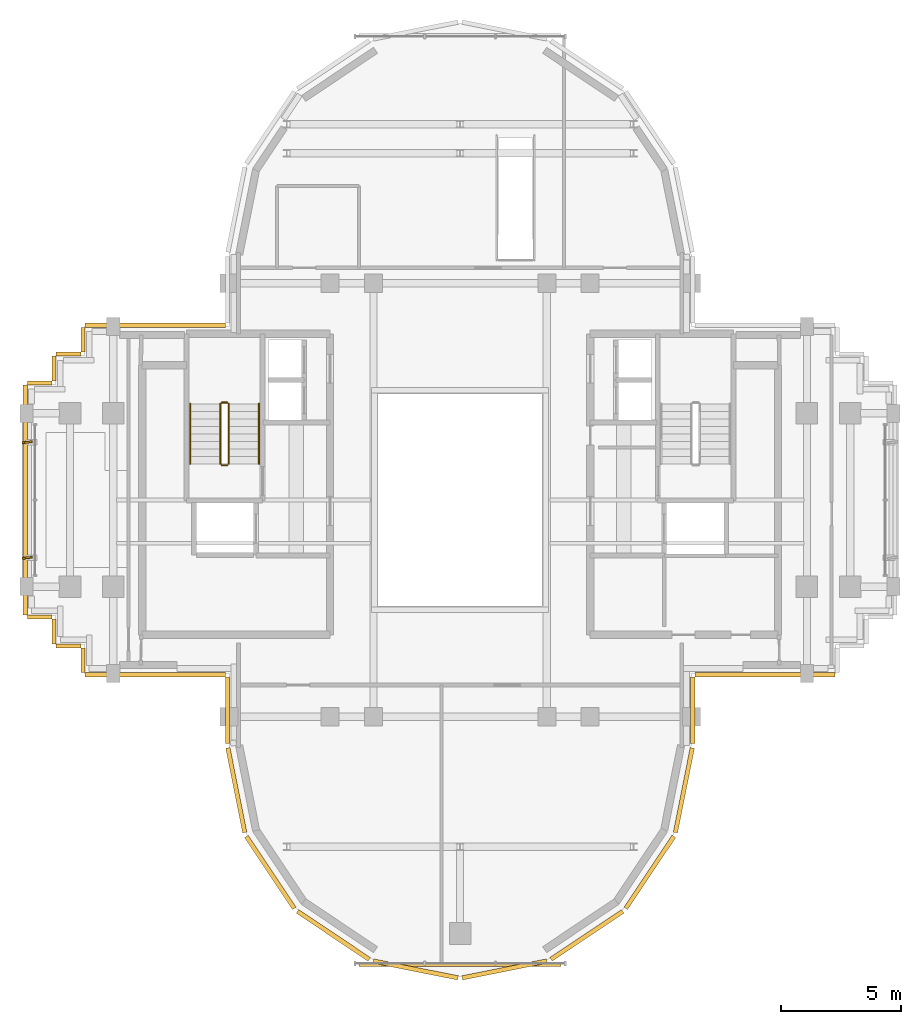
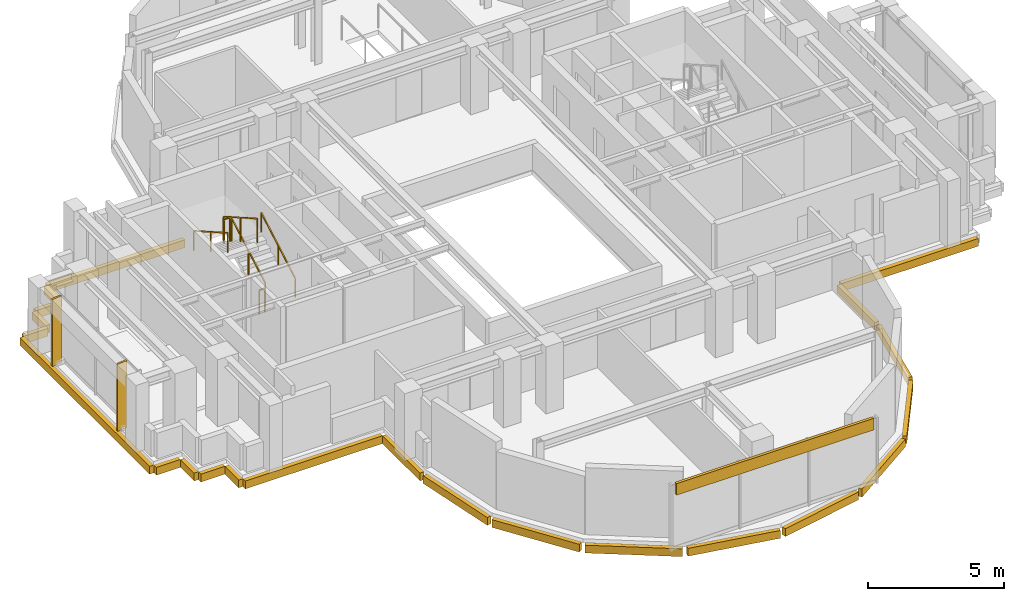
# One storey, part 11 of 12: 23 coverings, 6 railings, 2 shading devices.
"""IFC4 building model written with IfcOpenShell, lengths in metres."""

from ifc_helpers import new_model, si_unit, direction, frame, origin, origin_2d, place, context, subcontext, project, spatial, rectangle, extrude, source, transform, mapped, material, layer, layer_set, type_object, element, save


model = new_model("IFC4")

# Units and contexts
model_context = context("Model", 3, precision=1e-05, world=origin(), true_north=direction((0.0, 1.0)))
body_context = subcontext(model_context, "Body", "Model", "MODEL_VIEW")
ifc_project = project(units=[si_unit("LENGTHUNIT", "METRE"), si_unit("AREAUNIT", "SQUARE_METRE"), si_unit("VOLUMEUNIT", "CUBIC_METRE"), si_unit("PLANEANGLEUNIT", "RADIAN"), si_unit("MASSUNIT", "GRAM", prefix="KILO")], contexts=[model_context])

# Site, building, storey
site_placement = place(None, origin())
site = spatial("IfcSite", under=ifc_project, at=site_placement, CompositionType="ELEMENT")
building_placement = place(site_placement, origin())
building = spatial("IfcBuilding", under=site, at=building_placement, Name="Keilestroom Media Tower", CompositionType="ELEMENT")
storey_placement = place(building_placement, frame((0.0, 0.0, 233.199951171875)))
storey = spatial("IfcBuildingStorey", under=building, at=storey_placement, Name="L64", CompositionType="ELEMENT", Elevation=233.199951171875)

# Railings
ifc_material_1 = material(Name="Brushed Stainless Steel 1.4301", Category="steel")
railing_type_1 = type_object("IfcRailingType", Name="Stair-Pitch-Handrail-920", PredefinedType="HANDRAIL", material=ifc_material_1)
railing_1_placement = place(storey_placement, frame((-8.35009765625, 1.5, 0.177734375)))
element("IfcRailing", 1, at=railing_1_placement, inside=storey, type_object=railing_type_1, Name="L64 ST-1 stair handrail 1", PredefinedType="HANDRAIL", context=body_context, shape_type="SweptSolid", body=[
    extrude(rectangle(XDim=0.048095703125, YDim=0.048095703125, at=origin_2d()), frame((0.0, 0.0, 0.8759765625), z_axis=(0.0, 0.868838684858, 0.495095283449), x_axis=(-1.0, 0.0, 0.0)), (0.0, 0.0, 1.0), 2.872802734375),
    extrude(rectangle(XDim=0.0419921875, YDim=0.0419921875, at=origin_2d()), origin(), (0.0, 0.0, 1.0), 0.84375),
    extrude(rectangle(XDim=0.0419921875, YDim=0.0419921875, at=origin_2d()), frame((0.0, 1.248046875, 0.711181640625)), (0.0, 0.0, 1.0), 0.84375),
    extrude(rectangle(XDim=0.0419921875, YDim=0.0419921875, at=origin_2d()), frame((0.0, 2.49609375, 1.42236328125)), (0.0, 0.0, 1.0), 0.84375),
])
railing_2_placement = place(storey_placement, frame((-11.2099609375, 3.99609375, 1.77783203125)))
element("IfcRailing", 2, at=railing_2_placement, inside=storey, type_object=railing_type_1, Name="L64 ST-1 stair handrail 2", PredefinedType="HANDRAIL", context=body_context, shape_type="SweptSolid", body=[
    extrude(rectangle(XDim=0.048095703125, YDim=0.048095703125, at=origin_2d()), frame((0.0, 0.0, 0.8759765625), z_axis=(0.0, -0.868875238982, 0.495031129408), x_axis=(1.0, 0.0, 0.0)), (0.0, 0.0, 1.0), 2.872802734375),
    extrude(rectangle(XDim=0.0419921875, YDim=0.0419921875, at=origin_2d()), origin(), (0.0, 0.0, 1.0), 0.84375),
    extrude(rectangle(XDim=0.0419921875, YDim=0.0419921875, at=origin_2d()), frame((0.0, -1.248046875, 0.7109375)), (0.0, 0.0, 1.0), 0.84375),
    extrude(rectangle(XDim=0.0419921875, YDim=0.0419921875, at=origin_2d()), frame((0.0, -2.49609375, 1.422119140625)), (0.0, 0.0, 1.0), 0.84375),
])
ifc_material_2 = material(Name="Painted Steel Balustrade", Category="steel")
railing_type_2 = type_object("IfcRailingType", Name="Stair-Well-And-Landing-Guard-1100", PredefinedType="GUARDRAIL", material=ifc_material_2)
railing_3_placement = place(storey_placement, frame((-9.610107421875, 1.5, 0.177734375)))
element("IfcRailing", 3, at=railing_3_placement, inside=storey, type_object=railing_type_2, Name="L64 ST-1 stair guard 1", PredefinedType="GUARDRAIL", context=body_context, shape_type="SweptSolid", body=[
    extrude(rectangle(XDim=0.048095703125, YDim=0.048095703125, at=origin_2d()), frame((0.0, 0.0, 1.076171875), z_axis=(0.0, 0.868838684858, 0.495095283449), x_axis=(-1.0, 0.0, 0.0)), (0.0, 0.0, 1.0), 2.872802734375),
    extrude(rectangle(XDim=0.0419921875, YDim=0.0419921875, at=origin_2d()), origin(), (0.0, 0.0, 1.0), 1.0439453125),
    extrude(rectangle(XDim=0.0419921875, YDim=0.0419921875, at=origin_2d()), frame((0.0, 1.248046875, 0.711181640625)), (0.0, 0.0, 1.0), 1.0439453125),
    extrude(rectangle(XDim=0.0419921875, YDim=0.0419921875, at=origin_2d()), frame((0.0, 2.49609375, 1.42236328125)), (0.0, 0.0, 1.0), 1.0439453125),
])
railing_4_placement = place(storey_placement, frame((-9.659912109375, 4.0458984375, 1.60009765625)))
element("IfcRailing", 4, at=railing_4_placement, inside=storey, type_object=railing_type_2, Name="L64 ST-1 stair guard 2", PredefinedType="GUARDRAIL", context=body_context, shape_type="SweptSolid", body=[
    extrude(rectangle(XDim=0.048095703125, YDim=0.048095703125, at=origin_2d()), frame((0.0, 0.0, 1.076171875), z_axis=(-1.0, 0.0, 0.0), x_axis=(0.0, -1.0, 0.0)), (0.0, 0.0, 1.0), 0.239990234375),
    extrude(rectangle(XDim=0.0419921875, YDim=0.0419921875, at=origin_2d()), origin(), (0.0, 0.0, 1.0), 1.0439453125),
    extrude(rectangle(XDim=0.0419921875, YDim=0.0419921875, at=origin_2d()), frame((-0.239990234375, 0.0, 0.0)), (0.0, 0.0, 1.0), 1.0439453125),
])
railing_5_placement = place(storey_placement, frame((-9.949951171875, 3.99609375, 1.77783203125)))
element("IfcRailing", 5, at=railing_5_placement, inside=storey, type_object=railing_type_2, Name="L64 ST-1 stair guard 3", PredefinedType="GUARDRAIL", context=body_context, shape_type="SweptSolid", body=[
    extrude(rectangle(XDim=0.048095703125, YDim=0.048095703125, at=origin_2d()), frame((0.0, 0.0, 1.076171875), z_axis=(0.0, -0.868875238982, 0.495031129408), x_axis=(1.0, 0.0, 0.0)), (0.0, 0.0, 1.0), 2.872802734375),
    extrude(rectangle(XDim=0.0419921875, YDim=0.0419921875, at=origin_2d()), origin(), (0.0, 0.0, 1.0), 1.0439453125),
    extrude(rectangle(XDim=0.0419921875, YDim=0.0419921875, at=origin_2d()), frame((0.0, -1.248046875, 0.7109375)), (0.0, 0.0, 1.0), 1.0439453125),
    extrude(rectangle(XDim=0.0419921875, YDim=0.0419921875, at=origin_2d()), frame((0.0, -2.49609375, 1.422119140625)), (0.0, 0.0, 1.0), 1.0439453125),
])
railing_6_placement = place(storey_placement, frame((-9.659912109375, 1.449951171875, 0.0)))
element("IfcRailing", 6, at=railing_6_placement, inside=storey, type_object=railing_type_2, Name="L64 ST-1 stair guard 4", PredefinedType="GUARDRAIL", context=body_context, shape_type="SweptSolid", body=[
    extrude(rectangle(XDim=0.048095703125, YDim=0.048095703125, at=origin_2d()), frame((0.0, 0.0, 1.076171875), z_axis=(-1.0, 0.0, 0.0), x_axis=(0.0, -1.0, 0.0)), (0.0, 0.0, 1.0), 0.239990234375),
    extrude(rectangle(XDim=0.0419921875, YDim=0.0419921875, at=origin_2d()), origin(), (0.0, 0.0, 1.0), 1.0439453125),
    extrude(rectangle(XDim=0.0419921875, YDim=0.0419921875, at=origin_2d()), frame((-0.239990234375, 0.0, 0.0)), (0.0, 0.0, 1.0), 1.0439453125),
])

# Covering
ifc_material_3 = material(Name="Precast concrete C40/50", Category="concrete")
ifc_layer = layer(ifc_material_3, 0.1201171875)
ifc_layer_set = layer_set([ifc_layer], Name="Precast concrete C40/50")
covering_type = type_object("IfcCoveringType", Name="Exterior-Precast-Spandrel-Cladding-Panel-120", PredefinedType="CLADDING", material=ifc_layer_set)
shared_shape_1 = source(origin(), body_context, "Body", "SweptSolid", [
    extrude(rectangle(XDim=8.39990234375, YDim=0.1201171875, at=origin_2d()), origin(), (0.0, 0.0, 1.0), 0.52001953125),
])
covering_1_placement = place(storey_placement, frame((0.0, -19.320068359375, 2.5), z_axis=(0.0, 0.0, 1.0), x_axis=(1.0, 0.0, 0.0)))
element("IfcCovering", 7, at=covering_1_placement, inside=storey, type_object=covering_type, Name="L64 Precast Spandrel Cladding S", PredefinedType="CLADDING", context=body_context, shape_type="MappedRepresentation", body=[
    mapped(shared_shape_1, transform((0.0, 0.0, 0.0), x_axis=(1.0, 0.0, 0.0), y_axis=(0.0, 1.0, 0.0), z_axis=(0.0, 0.0, 1.0), scale=1.0)),
])

# Shading devices
ifc_material_4 = material(Name="Bronze Anodised Aluminium", Category="aluminium")
shading_device_type = type_object("IfcShadingDeviceType", Name="Facade-Vertical-Sunshade-Fin-SHD-1", PredefinedType="USERDEFINED", material=ifc_material_4)
shared_shape_2 = source(origin(), body_context, "Body", "SweptSolid", [
    extrude(rectangle(XDim=0.419921875, YDim=0.080078125, at=origin_2d()), origin(), (0.0, 0.0, 1.0), 3.010009765625),
])
for number, where, z_axis, x_axis, name in (
    (8, (-17.969970703125, -2.39990234375, 0.0), (0.0, 0.0, 1.0), (0.994393447567, 0.105743422663, 0.0), "L64 Twisting Sunshade Fin SHD-1 097"),
    (9, (-17.969970703125, 2.39990234375, 0.0), (0.0, 0.0, 1.0), (0.994393447567, 0.105743422663, 0.0), "L64 Twisting Sunshade Fin SHD-1 098"),
):
    element("IfcShadingDevice", number, at=place(storey_placement, frame(where, z_axis=z_axis, x_axis=x_axis)), inside=storey, type_object=shading_device_type, Name=name, ObjectType="SUNSHADE", PredefinedType="USERDEFINED", context=body_context, shape_type="MappedRepresentation", body=[
        mapped(shared_shape_2, transform((0.0, 0.0, 0.0), x_axis=(1.0, 0.0, 0.0), y_axis=(0.0, 1.0, 0.0), z_axis=(0.0, 0.0, 1.0), scale=1.0)),
    ])

# Coverings
shared_shape_3 = source(origin(), body_context, "Body", "SweptSolid", [
    extrude(rectangle(XDim=1.02001953125, YDim=0.179931640625, at=origin_2d()), origin(), (0.0, 0.0, 1.0), 0.35009765625),
])
for number, where, z_axis, x_axis, name in (
    (10, (-15.659912109375, -6.659912109375, -0.530029296875), (0.0, 0.0, 1.0), (0.0, 1.0, 0.0), "L64 Precast Slab-Edge Fascia Cornice 17"),
    (11, (-16.260009765625, -6.06005859375, -0.530029296875), (0.0, 0.0, 1.0), (-1.0, 0.0, 0.0), "L64 Precast Slab-Edge Fascia Cornice 18"),
    (12, (-16.860107421875, -5.4599609375, -0.530029296875), (0.0, 0.0, 1.0), (0.0, 1.0, 0.0), "L64 Precast Slab-Edge Fascia Cornice 19"),
    (13, (-17.4599609375, -4.860107421875, -0.530029296875), (0.0, 0.0, 1.0), (-1.0, 0.0, 0.0), "L64 Precast Slab-Edge Fascia Cornice 20"),
    (14, (-17.4599609375, 4.860107421875, -0.530029296875), (0.0, 0.0, 1.0), (1.0, 0.0, 0.0), "L64 Precast Slab-Edge Fascia Cornice 22"),
    (15, (-16.860107421875, 5.4599609375, -0.530029296875), (0.0, 0.0, 1.0), (0.0, 1.0, 0.0), "L64 Precast Slab-Edge Fascia Cornice 23"),
    (16, (-16.260009765625, 6.06005859375, -0.530029296875), (0.0, 0.0, 1.0), (1.0, 0.0, 0.0), "L64 Precast Slab-Edge Fascia Cornice 24"),
    (17, (-15.659912109375, 6.659912109375, -0.530029296875), (0.0, 0.0, 1.0), (0.0, 1.0, 0.0), "L64 Precast Slab-Edge Fascia Cornice 25"),
):
    element("IfcCovering", number, at=place(storey_placement, frame(where, z_axis=z_axis, x_axis=x_axis)), inside=storey, type_object=covering_type, Name=name, PredefinedType="CLADDING", context=body_context, shape_type="MappedRepresentation", body=[
        mapped(shared_shape_3, transform((0.0, 0.0, 0.0), x_axis=(1.0, 0.0, 0.0), y_axis=(0.0, 1.0, 0.0), z_axis=(0.0, 0.0, 1.0), scale=1.0)),
    ])
shared_shape_4 = source(origin(), body_context, "Body", "SweptSolid", [
    extrude(rectangle(XDim=5.820068359375, YDim=0.179931640625, at=origin_2d()), origin(), (0.0, 0.0, 1.0), 0.35009765625),
])
for number, where, z_axis, x_axis, name in (
    (18, (12.659912109375, -7.260009765625, -0.530029296875), (0.0, 0.0, 1.0), (-1.0, 0.0, 0.0), "L64 Precast Slab-Edge Fascia Cornice 05"),
    (19, (-12.659912109375, -7.260009765625, -0.530029296875), (0.0, 0.0, 1.0), (-1.0, 0.0, 0.0), "L64 Precast Slab-Edge Fascia Cornice 16"),
    (20, (-12.659912109375, 7.260009765625, -0.530029296875), (0.0, 0.0, 1.0), (1.0, 0.0, 0.0), "L64 Precast Slab-Edge Fascia Cornice 26"),
):
    element("IfcCovering", number, at=place(storey_placement, frame(where, z_axis=z_axis, x_axis=x_axis)), inside=storey, type_object=covering_type, Name=name, PredefinedType="CLADDING", context=body_context, shape_type="MappedRepresentation", body=[
        mapped(shared_shape_4, transform((0.0, 0.0, 0.0), x_axis=(1.0, 0.0, 0.0), y_axis=(0.0, 1.0, 0.0), z_axis=(0.0, 0.0, 1.0), scale=1.0)),
    ])
shared_shape_5 = source(origin(), body_context, "Body", "SweptSolid", [
    extrude(rectangle(XDim=2.765869140625, YDim=0.179931640625, at=origin_2d()), origin(), (0.0, 0.0, 1.0), 0.35009765625),
])
for number, where, z_axis, x_axis, name in (
    (21, (9.659912109375, -8.73291015625, -0.530029296875), (0.0, 0.0, 1.0), (0.0, -1.0, 0.0), "L64 Precast Slab-Edge Fascia Cornice 06"),
    (22, (-9.659912109375, -8.73291015625, -0.530029296875), (0.0, 0.0, 1.0), (0.0, 1.0, 0.0), "L64 Precast Slab-Edge Fascia Cornice 15"),
):
    element("IfcCovering", number, at=place(storey_placement, frame(where, z_axis=z_axis, x_axis=x_axis)), inside=storey, type_object=covering_type, Name=name, PredefinedType="CLADDING", context=body_context, shape_type="MappedRepresentation", body=[
        mapped(shared_shape_5, transform((0.0, 0.0, 0.0), x_axis=(1.0, 0.0, 0.0), y_axis=(0.0, 1.0, 0.0), z_axis=(0.0, 0.0, 1.0), scale=1.0)),
    ])
shared_shape_6 = source(origin(), body_context, "Body", "SweptSolid", [
    extrude(rectangle(XDim=3.58349609375, YDim=0.179931640625, at=origin_2d()), origin(), (0.0, 0.0, 1.0), 0.35009765625),
])
for number, where, z_axis, x_axis, name in (
    (23, (9.29296875, -12.051513671875, -0.530029296875), (0.0, 0.0, 1.0), (-0.195098880975, -0.980783577882, 0.0), "L64 Precast Slab-Edge Fascia Cornice 07"),
    (24, (-9.29296875, -12.051513671875, -0.530029296875), (0.0, 0.0, 1.0), (-0.195098880975, 0.980783577882, 0.0), "L64 Precast Slab-Edge Fascia Cornice 14"),
):
    element("IfcCovering", number, at=place(storey_placement, frame(where, z_axis=z_axis, x_axis=x_axis)), inside=storey, type_object=covering_type, Name=name, PredefinedType="CLADDING", context=body_context, shape_type="MappedRepresentation", body=[
        mapped(shared_shape_6, transform((0.0, 0.0, 0.0), x_axis=(1.0, 0.0, 0.0), y_axis=(0.0, 1.0, 0.0), z_axis=(0.0, 0.0, 1.0), scale=1.0)),
    ])
shared_shape_7 = source(origin(), body_context, "Body", "SweptSolid", [
    extrude(rectangle(XDim=3.589599609375, YDim=0.179931640625, at=origin_2d()), origin(), (0.0, 0.0, 1.0), 0.35009765625),
])
for number, where, z_axis, x_axis, name in (
    (25, (7.878662109375, -15.46435546875, -0.530029296875), (0.0, 0.0, 1.0), (-0.555574586577, -0.831466703332, 0.0), "L64 Precast Slab-Edge Fascia Cornice 08"),
    (26, (5.264404296875, -18.07861328125, -0.530029296875), (0.0, 0.0, 1.0), (-0.831466703332, -0.555574586577, 0.0), "L64 Precast Slab-Edge Fascia Cornice 09"),
    (27, (1.8486328125, -19.493408203125, -0.530029296875), (0.0, 0.0, 1.0), (-0.980783577882, -0.195098880975, 0.0), "L64 Precast Slab-Edge Fascia Cornice 10"),
    (28, (-1.8486328125, -19.493408203125, -0.530029296875), (0.0, 0.0, 1.0), (-0.980783577882, 0.195098880975, 0.0), "L64 Precast Slab-Edge Fascia Cornice 11"),
    (29, (-5.264404296875, -18.07861328125, -0.530029296875), (0.0, 0.0, 1.0), (-0.831466703332, 0.555574586577, 0.0), "L64 Precast Slab-Edge Fascia Cornice 12"),
    (30, (-7.878662109375, -15.46435546875, -0.530029296875), (0.0, 0.0, 1.0), (-0.555574586577, 0.831466703332, 0.0), "L64 Precast Slab-Edge Fascia Cornice 13"),
):
    element("IfcCovering", number, at=place(storey_placement, frame(where, z_axis=z_axis, x_axis=x_axis)), inside=storey, type_object=covering_type, Name=name, PredefinedType="CLADDING", context=body_context, shape_type="MappedRepresentation", body=[
        mapped(shared_shape_7, transform((0.0, 0.0, 0.0), x_axis=(1.0, 0.0, 0.0), y_axis=(0.0, 1.0, 0.0), z_axis=(0.0, 0.0, 1.0), scale=1.0)),
    ])
shared_shape_8 = source(origin(), body_context, "Body", "SweptSolid", [
    extrude(rectangle(XDim=9.5400390625, YDim=0.179931640625, at=origin_2d()), origin(), (0.0, 0.0, 1.0), 0.35009765625),
])
covering_2_placement = place(storey_placement, frame((-18.06005859375, 0.0, -0.530029296875), z_axis=(0.0, 0.0, 1.0), x_axis=(0.0, 1.0, 0.0)))
element("IfcCovering", 31, at=covering_2_placement, inside=storey, type_object=covering_type, Name="L64 Precast Slab-Edge Fascia Cornice 21", PredefinedType="CLADDING", context=body_context, shape_type="MappedRepresentation", body=[
    mapped(shared_shape_8, transform((0.0, 0.0, 0.0), x_axis=(1.0, 0.0, 0.0), y_axis=(0.0, 1.0, 0.0), z_axis=(0.0, 0.0, 1.0), scale=1.0)),
])

save(model, "model.ifc")
